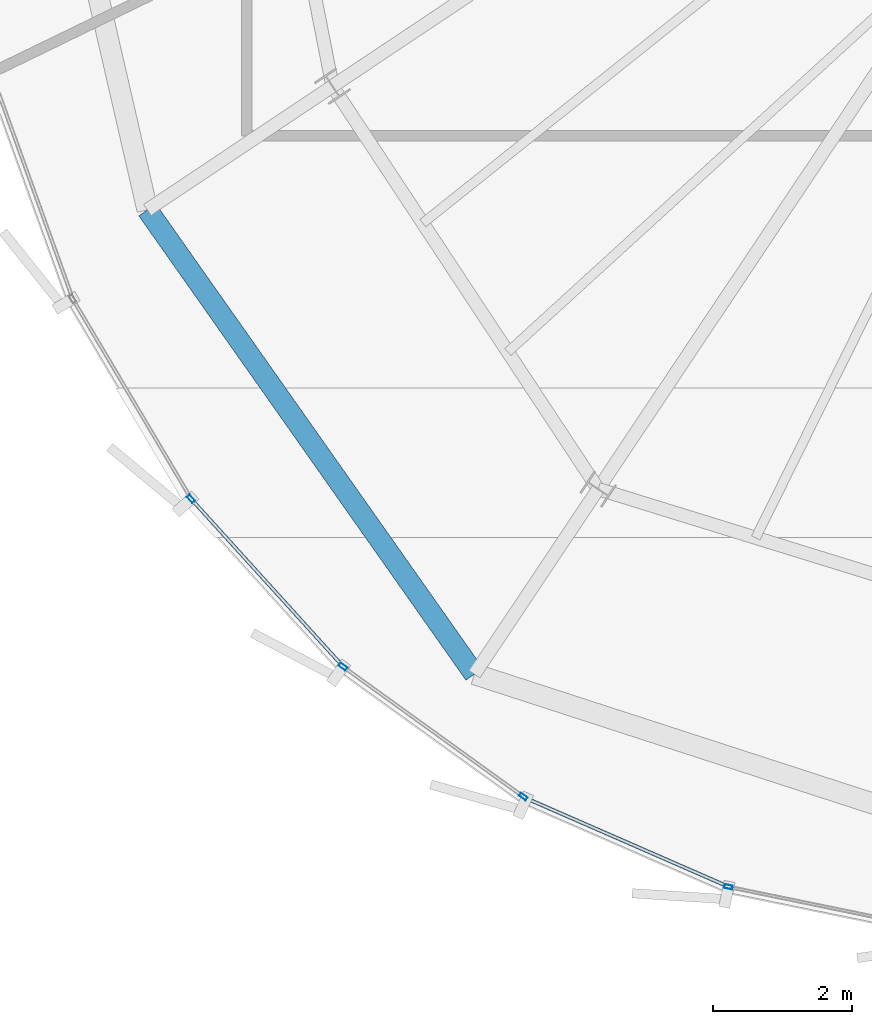
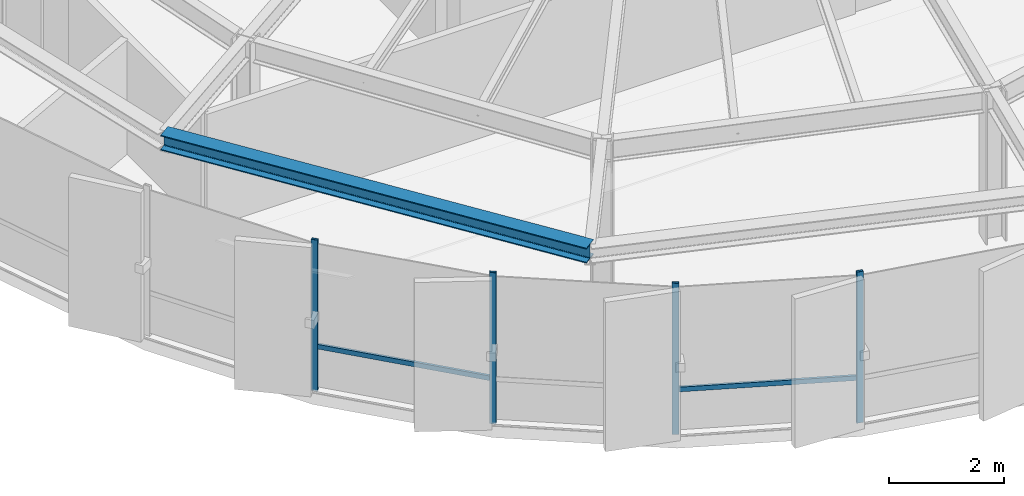
# One storey, part 2 of 31: 6 members, 1 beam, 2 elements without a shape of their own.
"""IFC4 building model written with IfcOpenShell, lengths in metres."""

from ifc_helpers import new_model, si_unit, direction, frame, origin, origin_2d, place, context, subcontext, project, spatial, hollow_rectangle, i_section, extrude, source, transform, mapped, material, layer, layer_set, material_profile, profile_set, type_object, element, aggregate, save


model = new_model("IFC4")

# Units and contexts
model_context = context("Model", 3, precision=1e-05, world=origin(), true_north=direction((0.0, 1.0)))
body_context = subcontext(model_context, "Body", "Model", "MODEL_VIEW")
ifc_project = project(units=[si_unit("LENGTHUNIT", "METRE"), si_unit("AREAUNIT", "SQUARE_METRE"), si_unit("VOLUMEUNIT", "CUBIC_METRE"), si_unit("PLANEANGLEUNIT", "RADIAN"), si_unit("MASSUNIT", "GRAM", prefix="KILO"), si_unit("THERMODYNAMICTEMPERATUREUNIT", "KELVIN")], contexts=[model_context])

# Site, building, storey
site_placement = place(None, origin())
site = spatial("IfcSite", under=ifc_project, at=site_placement, CompositionType="ELEMENT")
building_placement = place(site_placement, origin())
building = spatial("IfcBuilding", under=site, at=building_placement, Name="Kethvar Cultural Tower", CompositionType="ELEMENT")
storey_placement = place(building_placement, frame((0.0, 0.0, 276.699951171875)))
storey = spatial("IfcBuildingStorey", under=building, at=storey_placement, Name="L73", CompositionType="ELEMENT", Elevation=276.699951171875)

# Beam
ifc_material_1 = material(Name="Steel S355J2", Category="steel")
ifc_material_profile_1 = material_profile(ifc_material_1, i_section(OverallWidth=0.300048828125, OverallDepth=0.320068359375, WebThickness=0.011474609375, FlangeThickness=0.0205078125, FilletRadius=0.027099609375, at=origin_2d()), Name="Steel S355J2 — HEB320")
ifc_profile_set_1 = profile_set([ifc_material_profile_1], Name="Steel S355J2 — HEB320")
beam_type = type_object("IfcBeamType", Name="BM-SP320", PredefinedType="SPANDREL", material=ifc_profile_set_1)
shared_shape_1 = source(origin(), body_context, "Body", "SweptSolid", [
    extrude(i_section(OverallWidth=0.300048828125, OverallDepth=0.320068359375, WebThickness=0.011474609375, FlangeThickness=0.0205078125, FilletRadius=0.027099609375, at=origin_2d()), origin(), (0.0, 0.0, 1.0), 8.16259765625),
])
beam_placement = place(storey_placement, frame((30.252197265625, 16.7431640625, 3.048095703125), z_axis=(0.575940812748, -0.817491394579, 0.0), x_axis=(0.817491394579, 0.575940812748, 0.0)))
element("IfcBeam", 1, at=beam_placement, inside=storey, type_object=beam_type, Name="L73 Perimeter Spandrel Beam SP-10", PredefinedType="SPANDREL", context=body_context, shape_type="MappedRepresentation", body=[
    mapped(shared_shape_1, transform((0.0, 0.0, 0.0), scale=1.0)),
])

# Curtain wall, members
ifc_material_2 = material(Name="Aluminium 6063-T6", Category="aluminium")
ifc_layer = layer(ifc_material_2, 0.179931640625, Name="Aluminium 6063-T6", Category="aluminium")
ifc_layer_set = layer_set([ifc_layer], Name="Aluminium 6063-T6 (180 mm)")
curtain_wall_type = type_object("IfcCurtainWallType", Name="CW-SYS-05-Z56", PredefinedType="NOTDEFINED", material=ifc_layer_set)
curtain_wall_1_placement = place(storey_placement, origin())
curtain_wall_1 = element("IfcCurtainWall", 2, at=curtain_wall_1_placement, inside=storey, type_object=curtain_wall_type, Name="L73 Curtain Wall Run 03", PredefinedType="NOTDEFINED")
ifc_material_profile_2 = material_profile(ifc_material_2, hollow_rectangle(XDim=0.054931640625, YDim=0.1201171875, WallThickness=0.00390625, at=origin_2d()), Name="Aluminium 6063-T6 — RHS120x55x4")
ifc_profile_set_2 = profile_set([ifc_material_profile_2], Name="Aluminium 6063-T6 — RHS120x55x4")
member_type_1 = type_object("IfcMemberType", Name="CW-SYS-05-Z56-MUL", PredefinedType="MULLION", material=ifc_profile_set_2)
shared_shape_2 = source(origin(), body_context, "Body", "SweptSolid", [
    extrude(hollow_rectangle(XDim=0.054931640625, YDim=0.1201171875, WallThickness=0.00390625, at=origin_2d()), origin(), (0.0, 0.0, 1.0), 3.2099609375),
])
member_1_placement = place(storey_placement, frame((30.88037109375, 12.590576171875, 0.0), z_axis=(0.0, 0.0, 1.0), x_axis=(0.740804596287, 0.671720589323, 0.0)))
member_1 = element("IfcMember", 3, at=member_1_placement, type_object=member_type_1, Name="CW-L73-R03 Mullion 5", PredefinedType="MULLION", context=body_context, shape_type="MappedRepresentation", body=[
    mapped(shared_shape_2, transform((0.0, 0.0, 0.0), scale=1.0)),
])
member_2_placement = place(storey_placement, frame((33.064697265625, 10.177978515625, 0.0), z_axis=(0.0, 0.0, 1.0), x_axis=(0.584830266164, 0.81115569392, 0.0)))
member_2 = element("IfcMember", 4, at=member_2_placement, type_object=member_type_1, Name="CW-L73-R03 Mullion 6", PredefinedType="MULLION", context=body_context, shape_type="MappedRepresentation", body=[
    mapped(shared_shape_2, transform((0.0, 0.0, 0.0), scale=1.0)),
])
member_3_placement = place(storey_placement, frame((35.65478515625, 8.310791015625, 0.0), z_axis=(0.0, 0.0, 1.0), x_axis=(0.584830266164, 0.81115569392, 0.0)))
member_3 = element("IfcMember", 5, at=member_3_placement, type_object=member_type_1, Name="CW-L73-R03 Mullion 7", PredefinedType="MULLION", context=body_context, shape_type="MappedRepresentation", body=[
    mapped(shared_shape_2, transform((0.0, 0.0, 0.0), scale=1.0)),
])

# Curtain wall, member
curtain_wall_2_placement = place(storey_placement, origin())
curtain_wall_2 = element("IfcCurtainWall", 6, at=curtain_wall_2_placement, inside=storey, type_object=curtain_wall_type, Name="L73 Curtain Wall Run 04", PredefinedType="NOTDEFINED")
member_4_placement = place(storey_placement, frame((38.60400390625, 7.013427734375, 0.0), z_axis=(0.0, 0.0, 1.0), x_axis=(0.201060824302, 0.979578758922, 0.0)))
member_4 = element("IfcMember", 7, at=member_4_placement, type_object=member_type_1, Name="CW-L73-R04 Mullion 2", PredefinedType="MULLION", context=body_context, shape_type="MappedRepresentation", body=[
    mapped(shared_shape_2, transform((0.0, 0.0, 0.0), scale=1.0)),
])

# Member
ifc_material_profile_3 = material_profile(ifc_material_2, hollow_rectangle(XDim=0.050048828125, YDim=0.10009765625, WallThickness=0.00390625, at=origin_2d()), Name="Aluminium 6063-T6 — RHS100x50x4")
ifc_profile_set_3 = profile_set([ifc_material_profile_3], Name="Aluminium 6063-T6 — RHS100x50x4")
member_type_2 = type_object("IfcMemberType", Name="CW-SYS-05-Z56-TRN", PredefinedType="USERDEFINED", material=ifc_profile_set_3)
shared_shape_3 = source(origin(), body_context, "Body", "SweptSolid", [
    extrude(hollow_rectangle(XDim=0.050048828125, YDim=0.10009765625, WallThickness=0.00390625, at=origin_2d()), origin(), (0.0, 0.0, 1.0), 3.19580078125),
])
member_5_placement = place(storey_placement, frame((30.906982421875, 12.56103515625, 0.949951171875), z_axis=(0.671733054447, -0.740793293412, 0.0), x_axis=(0.740793293412, 0.671733054447, 0.0)))
member_5 = element("IfcMember", 8, at=member_5_placement, type_object=member_type_2, Name="CW-L73-R03 Transom 5", ObjectType="TRANSOM", PredefinedType="USERDEFINED", context=body_context, shape_type="MappedRepresentation", body=[
    mapped(shared_shape_3, transform((0.0, 0.0, 0.0), scale=1.0)),
])

aggregate(curtain_wall_1, [member_1, member_2, member_3, member_5])

shared_shape_4 = source(origin(), body_context, "Body", "SweptSolid", [
    extrude(hollow_rectangle(XDim=0.050048828125, YDim=0.10009765625, WallThickness=0.00390625, at=origin_2d()), origin(), (0.0, 0.0, 1.0), 3.149658203125),
])
member_6_placement = place(storey_placement, frame((35.70166015625, 8.284423828125, 0.949951171875), z_axis=(0.916290709547, -0.400513839458, 0.0), x_axis=(0.400513839458, 0.916290709547, 0.0)))
member_6 = element("IfcMember", 9, at=member_6_placement, type_object=member_type_2, Name="CW-L73-R04 Transom 1", ObjectType="TRANSOM", PredefinedType="USERDEFINED", context=body_context, shape_type="MappedRepresentation", body=[
    mapped(shared_shape_4, transform((0.0, 0.0, 0.0), scale=1.0)),
])

aggregate(curtain_wall_2, [member_4, member_6])

save(model, "model.ifc")
